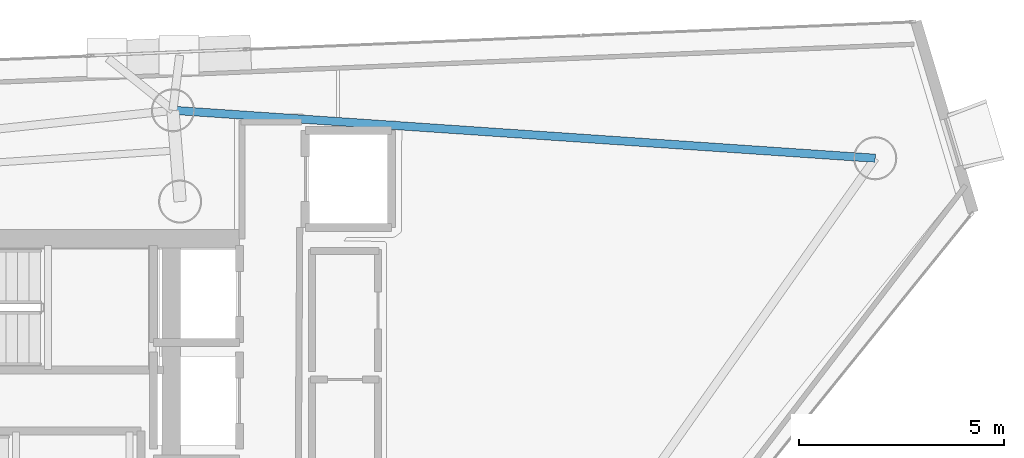
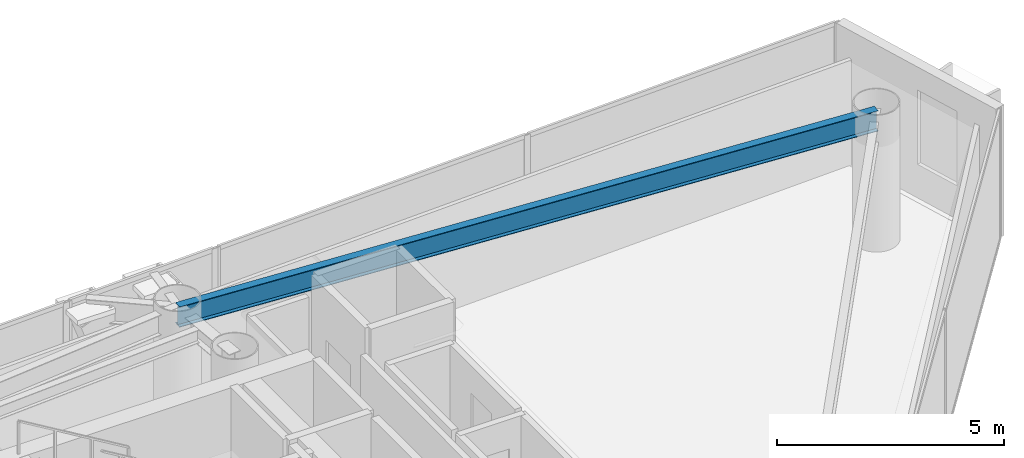
# One storey, part 12 of 19: 1 beam.
"""IFC4 building model written with IfcOpenShell, lengths in metres."""

from ifc_helpers import new_model, si_unit, direction, frame, origin, origin_2d, place, context, subcontext, project, spatial, i_section, extrude, material, material_profile, profile_set, type_object, element, save


model = new_model("IFC4")

# Units and contexts
model_context = context("Model", 3, precision=1e-05, world=origin(), true_north=direction((0.0, 1.0)))
body_context = subcontext(model_context, "Body", "Model", "MODEL_VIEW")
ifc_project = project(units=[si_unit("LENGTHUNIT", "METRE"), si_unit("AREAUNIT", "SQUARE_METRE"), si_unit("VOLUMEUNIT", "CUBIC_METRE"), si_unit("PLANEANGLEUNIT", "RADIAN"), si_unit("MASSUNIT", "GRAM", prefix="KILO")], contexts=[model_context])

# Site, building, storey
site_placement = place(None, origin())
site = spatial("IfcSite", under=ifc_project, at=site_placement, CompositionType="ELEMENT")
building_placement = place(site_placement, origin())
building = spatial("IfcBuilding", under=site, at=building_placement, Name="Qianvela Tower", CompositionType="ELEMENT")
storey_placement = place(building_placement, frame((0.0, 0.0, 261.199951171875)))
storey = spatial("IfcBuildingStorey", under=building, at=storey_placement, Name="L67", CompositionType="ELEMENT", Elevation=261.199951171875)

# Beam
ifc_material = material(Name="Steel Q355B", Category="steel")
ifc_material_profile = material_profile(ifc_material, i_section(OverallWidth=0.199951171875, OverallDepth=0.550048828125, WebThickness=0.010009765625, FlangeThickness=0.01611328125, at=origin_2d()), Name="HN550x200x10x16")
ifc_profile_set = profile_set([ifc_material_profile], Name="Steel Q355B")
beam_type = type_object("IfcBeamType", Name="BM-HN550-GIRD", PredefinedType="BEAM", material=ifc_profile_set)
beam_placement = place(storey_placement, frame((55.33203125, 34.60498046875, 3.2431640625), z_axis=(-0.997677407473, 0.068116008525, 0.0), x_axis=(-0.068116008525, -0.997677407473, 0.0)))
element("IfcBeam", 1, at=beam_placement, inside=storey, type_object=beam_type, Name="L67 Perimeter Ring Spandrel Girder 1", PredefinedType="BEAM", context=body_context, shape_type="SweptSolid", body=[
    extrude(i_section(OverallWidth=0.199951171875, OverallDepth=0.550048828125, WebThickness=0.010009765625, FlangeThickness=0.01611328125, at=origin_2d()), origin(), (0.0, 0.0, 1.0), 17.146728515625),
])

save(model, "model.ifc")
